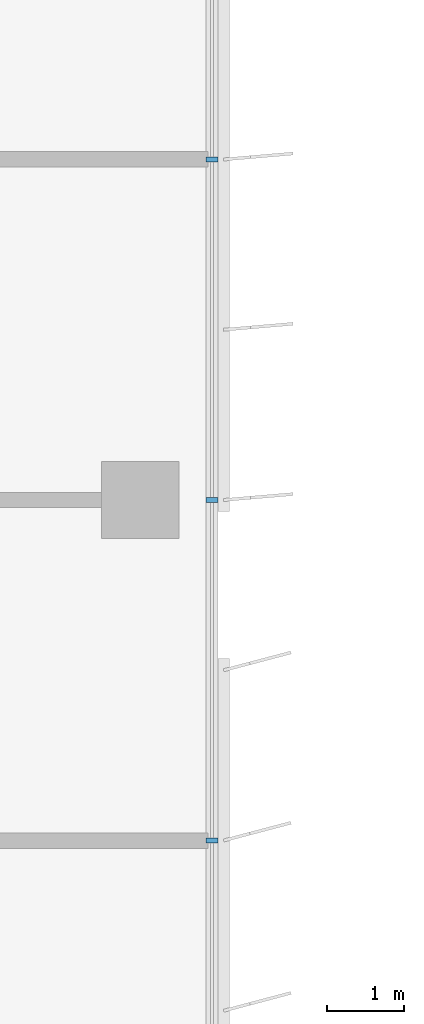
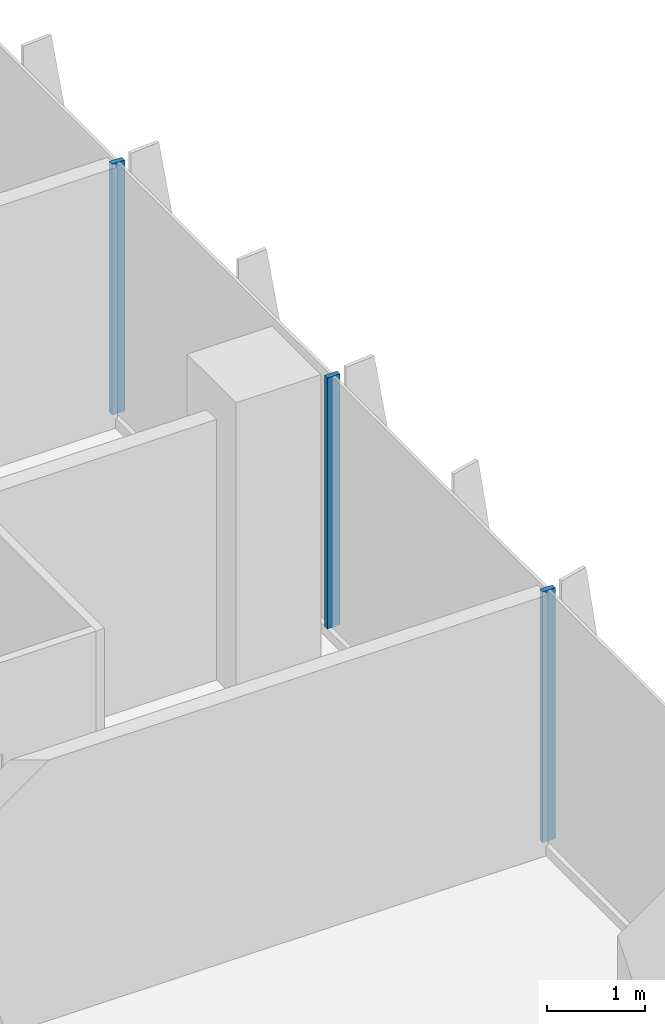
# One storey, part 5 of 21: 3 members, 1 element without a shape of its own.
"""IFC4 building model written with IfcOpenShell, lengths in metres."""

from ifc_helpers import new_model, si_unit, direction, frame, origin, origin_2d, place, context, subcontext, project, spatial, rectangle, extrude, source, transform, mapped, material, material_profile, profile_set, type_object, element, aggregate, save


model = new_model("IFC4")

# Units and contexts
model_context = context("Model", 3, precision=1e-05, world=origin(), true_north=direction((0.0, 1.0)))
body_context = subcontext(model_context, "Body", "Model", "MODEL_VIEW")
ifc_project = project(units=[si_unit("LENGTHUNIT", "METRE"), si_unit("AREAUNIT", "SQUARE_METRE"), si_unit("VOLUMEUNIT", "CUBIC_METRE"), si_unit("PLANEANGLEUNIT", "RADIAN"), si_unit("MASSUNIT", "GRAM", prefix="KILO")], contexts=[model_context])

# Site, building, storey
site_placement = place(None, origin())
site = spatial("IfcSite", under=ifc_project, at=site_placement, CompositionType="ELEMENT")
building_placement = place(site_placement, origin())
building = spatial("IfcBuilding", under=site, at=building_placement, Name="Kemantara Hotel Tower", CompositionType="ELEMENT")
storey_placement = place(building_placement, frame((0.0, 0.0, 219.10009765625)))
storey = spatial("IfcBuildingStorey", under=building, at=storey_placement, Name="L54", CompositionType="ELEMENT", Elevation=219.10009765625)

# Curtain wall, members
ifc_material_1 = material(Name="Low-E tinted double insulated glass 36 mm", Category="glass")
curtain_wall_type = type_object("IfcCurtainWallType", Name="TOWER CURTAIN WALL, FRONT FACES", PredefinedType="USERDEFINED", material=ifc_material_1)
curtain_wall_placement = place(storey_placement, origin())
curtain_wall = element("IfcCurtainWall", 1, at=curtain_wall_placement, inside=storey, type_object=curtain_wall_type, Name="CW4 L54 T3-R17-1", ObjectType="TOWER CURTAIN WALL, FRONT FACES", PredefinedType="USERDEFINED")
ifc_material_2 = material(Name="Aluminium 6063-T6 bronze anodised", Category="aluminium")
ifc_material_profile = material_profile(ifc_material_2, rectangle(XDim=0.14990234375, YDim=0.06005859375, at=origin_2d()), Name="TOWER CURTAIN WALL, FRONT FACES MULLION")
ifc_profile_set = profile_set([ifc_material_profile], Name="Aluminium 6063-T6 bronze anodised")
member_type = type_object("IfcMemberType", Name="TOWER CURTAIN WALL, FRONT FACES MULLION", PredefinedType="MULLION", material=ifc_profile_set)
shared_shape = source(origin(), body_context, "Body", "SweptSolid", [
    extrude(rectangle(XDim=0.14990234375, YDim=0.06005859375, at=origin_2d()), origin(), (0.0, 0.0, 1.0), 3.130126953125),
])
member_1_placement = place(storey_placement, frame((21.925048828125, 31.800048828125, 0.119873046875), z_axis=(0.0, 0.0, 1.0), x_axis=(-1.0, 0.0, 0.0)))
member_1 = element("IfcMember", 2, at=member_1_placement, type_object=member_type, Name="CW4 mullion T3-R17-1.3", PredefinedType="MULLION", context=body_context, shape_type="MappedRepresentation", body=[
    mapped(shared_shape, transform((0.0, 0.0, 0.0))),
])
member_2_placement = place(storey_placement, frame((21.925048828125, 36.199951171875, 0.119873046875), z_axis=(0.0, 0.0, 1.0), x_axis=(-1.0, 0.0, 0.0)))
member_2 = element("IfcMember", 3, at=member_2_placement, type_object=member_type, Name="CW4 mullion T3-R17-1.4", PredefinedType="MULLION", context=body_context, shape_type="MappedRepresentation", body=[
    mapped(shared_shape, transform((0.0, 0.0, 0.0))),
])
member_3_placement = place(storey_placement, frame((21.925048828125, 40.60009765625, 0.119873046875), z_axis=(0.0, 0.0, 1.0), x_axis=(-1.0, 0.0, 0.0)))
member_3 = element("IfcMember", 4, at=member_3_placement, type_object=member_type, Name="CW4 mullion T3-R17-1.5", PredefinedType="MULLION", context=body_context, shape_type="MappedRepresentation", body=[
    mapped(shared_shape, transform((0.0, 0.0, 0.0))),
])
aggregate(curtain_wall, [member_1, member_2, member_3])

save(model, "model.ifc")
